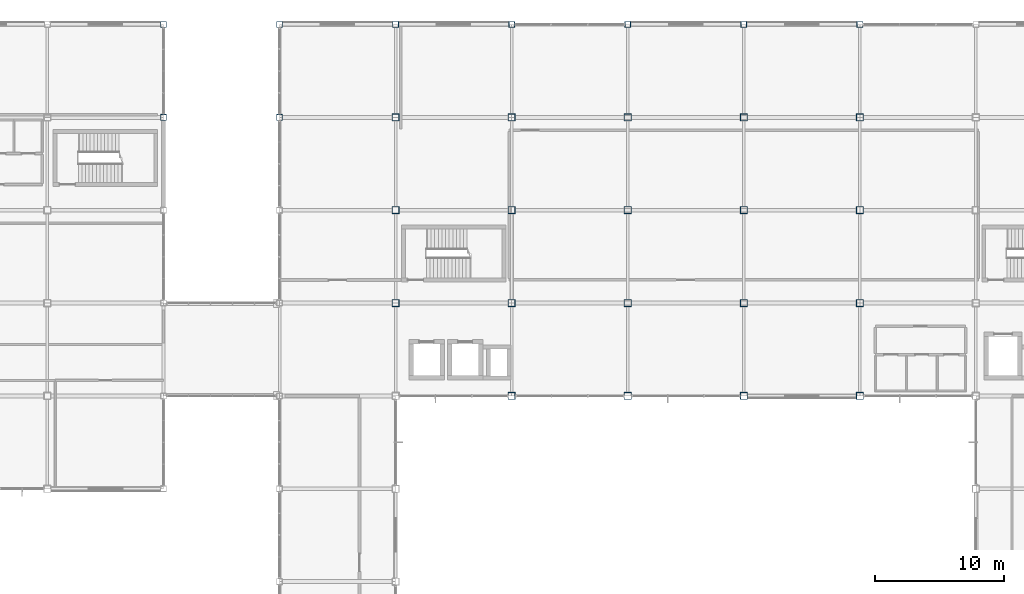
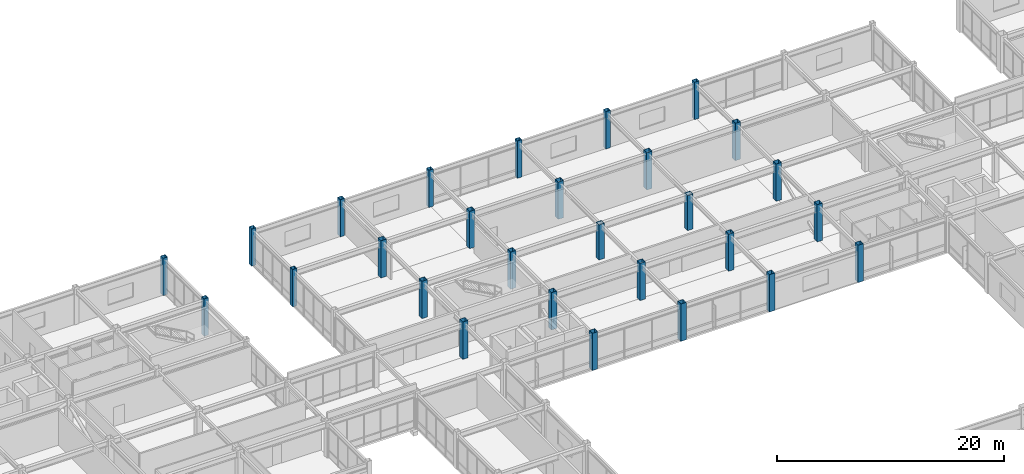
# One storey, part 8 of 122: 28 columns.
"""IFC4 building model written with IfcOpenShell, lengths in metres."""

from ifc_helpers import new_model, si_unit, direction, frame, origin, origin_2d, place, context, subcontext, project, spatial, hollow_rectangle, extrude, material, material_profile, profile_set, type_object, element, save


model = new_model("IFC4")

# Units and contexts
model_context = context("Model", 3, precision=1e-05, world=origin(), true_north=direction((0.0, 1.0)))
body_context = subcontext(model_context, "Body", "Model", "MODEL_VIEW")
ifc_project = project(units=[si_unit("LENGTHUNIT", "METRE"), si_unit("AREAUNIT", "SQUARE_METRE"), si_unit("VOLUMEUNIT", "CUBIC_METRE"), si_unit("PLANEANGLEUNIT", "RADIAN"), si_unit("MASSUNIT", "GRAM", prefix="KILO")], contexts=[model_context])

# Site, building, storey
site_placement = place(None, origin())
site = spatial("IfcSite", under=ifc_project, at=site_placement, CompositionType="ELEMENT")
building_placement = place(site_placement, origin())
building = spatial("IfcBuilding", under=site, at=building_placement, Name="Kazanami Central Library", CompositionType="ELEMENT")
storey_placement = place(building_placement, frame((0.0, 0.0, 4.800048828125)))
storey = spatial("IfcBuildingStorey", under=building, at=storey_placement, Name="L02", CompositionType="ELEMENT", Elevation=4.800048828125)

# Columns
ifc_material = material(Name="Steel BCP325 (325 MPa)", Category="steel")
ifc_material_profile_1 = material_profile(ifc_material, hollow_rectangle(XDim=0.449951171875, YDim=0.449951171875, WallThickness=0.01904296875, at=origin_2d()), Name="BCP-450x450x19")
ifc_profile_set_1 = profile_set([ifc_material_profile_1], Name="Steel BCP325 (325 MPa)")
column_type_1 = type_object("IfcColumnType", Name="COL-C-P2E", PredefinedType="COLUMN", material=ifc_profile_set_1)
for number, where, z_axis, x_axis, name in (
    (1, (36.0, 86.39990234375, 0.0), (0.0, 0.0, 1.0), (1.0, 0.0, 0.0), "Column C-P2E L02 5/N"),
    (2, (36.0, 93.60009765625, 0.0), (0.0, 0.0, 1.0), (1.0, 0.0, 0.0), "Column C-P2E L02 5/O"),
    (3, (45.0, 86.39990234375, 0.0), (0.0, 0.0, 1.0), (1.0, 0.0, 0.0), "Column C-P2E L02 6/N"),
    (4, (45.0, 93.60009765625, 0.0), (0.0, 0.0, 1.0), (1.0, 0.0, 0.0), "Column C-P2E L02 6/O"),
    (5, (54.0, 93.60009765625, 0.0), (0.0, 0.0, 1.0), (1.0, 0.0, 0.0), "Column C-P2E L02 7/O"),
    (6, (63.0, 93.60009765625, 0.0), (0.0, 0.0, 1.0), (1.0, 0.0, 0.0), "Column C-P2E L02 8/O"),
    (7, (72.0, 93.60009765625, 0.0), (0.0, 0.0, 1.0), (1.0, 0.0, 0.0), "Column C-P2E L02 9/O"),
    (8, (81.0, 93.60009765625, 0.0), (0.0, 0.0, 1.0), (1.0, 0.0, 0.0), "Column C-P2E L02 10/O"),
    (9, (90.0, 93.60009765625, 0.0), (0.0, 0.0, 1.0), (1.0, 0.0, 0.0), "Column C-P2E L02 11/O"),
):
    element("IfcColumn", number, at=place(storey_placement, frame(where, z_axis=z_axis, x_axis=x_axis)), inside=storey, type_object=column_type_1, Name=name, PredefinedType="COLUMN", context=body_context, shape_type="SweptSolid", body=[
        extrude(hollow_rectangle(XDim=0.449951171875, YDim=0.449951171875, WallThickness=0.01904296875, at=origin_2d()), origin(), (0.0, 0.0, 1.0), 4.0),
    ])
ifc_material_profile_2 = material_profile(ifc_material, hollow_rectangle(XDim=0.550048828125, YDim=0.550048828125, WallThickness=0.02197265625, at=origin_2d()), Name="BCP-550x550x22")
ifc_profile_set_2 = profile_set([ifc_material_profile_2], Name="Steel BCP325 (325 MPa)")
column_type_2 = type_object("IfcColumnType", Name="COL-C-P2I", PredefinedType="COLUMN", material=ifc_profile_set_2)
for number, where, z_axis, x_axis, name in (
    (10, (54.0, 72.0, 0.0), (0.0, 0.0, 1.0), (1.0, 0.0, 0.0), "Column C-P2I L02 7/L"),
    (11, (54.0, 79.199951171875, 0.0), (0.0, 0.0, 1.0), (1.0, 0.0, 0.0), "Column C-P2I L02 7/M"),
    (12, (54.0, 86.39990234375, 0.0), (0.0, 0.0, 1.0), (1.0, 0.0, 0.0), "Column C-P2I L02 7/N"),
    (13, (63.0, 64.800048828125, 0.0), (0.0, 0.0, 1.0), (1.0, 0.0, 0.0), "Column C-P2I L02 8/K"),
    (14, (63.0, 72.0, 0.0), (0.0, 0.0, 1.0), (1.0, 0.0, 0.0), "Column C-P2I L02 8/L"),
    (15, (63.0, 79.199951171875, 0.0), (0.0, 0.0, 1.0), (1.0, 0.0, 0.0), "Column C-P2I L02 8/M"),
    (16, (63.0, 86.39990234375, 0.0), (0.0, 0.0, 1.0), (1.0, 0.0, 0.0), "Column C-P2I L02 8/N"),
    (17, (72.0, 64.800048828125, 0.0), (0.0, 0.0, 1.0), (1.0, 0.0, 0.0), "Column C-P2I L02 9/K"),
    (18, (72.0, 72.0, 0.0), (0.0, 0.0, 1.0), (1.0, 0.0, 0.0), "Column C-P2I L02 9/L"),
):
    element("IfcColumn", number, at=place(storey_placement, frame(where, z_axis=z_axis, x_axis=x_axis)), inside=storey, type_object=column_type_2, Name=name, PredefinedType="COLUMN", context=body_context, shape_type="SweptSolid", body=[
        extrude(hollow_rectangle(XDim=0.550048828125, YDim=0.550048828125, WallThickness=0.02197265625, at=origin_2d()), origin(), (0.0, 0.0, 1.0), 4.0),
    ])
column_1_placement = place(storey_placement, frame((72.0, 79.199951171875, 0.0), z_axis=(0.0, 0.0, 1.0), x_axis=(1.0, 0.0, 0.0)))
element("IfcColumn", 19, at=column_1_placement, inside=storey, type_object=column_type_2, Name="Column C-P2I L02 9/M", PredefinedType="COLUMN", context=body_context, shape_type="SweptSolid", body=[
    extrude(hollow_rectangle(XDim=0.550048828125, YDim=0.550048828125, WallThickness=0.02197265625, at=origin_2d()), origin(), (0.0, 0.0, 1.0), 3.7548828125),
])
for number, where, z_axis, x_axis, name in (
    (20, (72.0, 86.39990234375, 0.0), (0.0, 0.0, 1.0), (1.0, 0.0, 0.0), "Column C-P2I L02 9/N"),
    (21, (81.0, 64.800048828125, 0.0), (0.0, 0.0, 1.0), (1.0, 0.0, 0.0), "Column C-P2I L02 10/K"),
    (22, (81.0, 72.0, 0.0), (0.0, 0.0, 1.0), (1.0, 0.0, 0.0), "Column C-P2I L02 10/L"),
):
    element("IfcColumn", number, at=place(storey_placement, frame(where, z_axis=z_axis, x_axis=x_axis)), inside=storey, type_object=column_type_2, Name=name, PredefinedType="COLUMN", context=body_context, shape_type="SweptSolid", body=[
        extrude(hollow_rectangle(XDim=0.550048828125, YDim=0.550048828125, WallThickness=0.02197265625, at=origin_2d()), origin(), (0.0, 0.0, 1.0), 4.0),
    ])
column_2_placement = place(storey_placement, frame((81.0, 79.199951171875, 0.0), z_axis=(0.0, 0.0, 1.0), x_axis=(1.0, 0.0, 0.0)))
element("IfcColumn", 23, at=column_2_placement, inside=storey, type_object=column_type_2, Name="Column C-P2I L02 10/M", PredefinedType="COLUMN", context=body_context, shape_type="SweptSolid", body=[
    extrude(hollow_rectangle(XDim=0.550048828125, YDim=0.550048828125, WallThickness=0.02197265625, at=origin_2d()), origin(), (0.0, 0.0, 1.0), 3.7548828125),
])
for number, where, z_axis, x_axis, name in (
    (24, (81.0, 86.39990234375, 0.0), (0.0, 0.0, 1.0), (1.0, 0.0, 0.0), "Column C-P2I L02 10/N"),
    (25, (90.0, 64.800048828125, 0.0), (0.0, 0.0, 1.0), (1.0, 0.0, 0.0), "Column C-P2I L02 11/K"),
    (26, (90.0, 72.0, 0.0), (0.0, 0.0, 1.0), (1.0, 0.0, 0.0), "Column C-P2I L02 11/L"),
    (27, (90.0, 79.199951171875, 0.0), (0.0, 0.0, 1.0), (1.0, 0.0, 0.0), "Column C-P2I L02 11/M"),
    (28, (90.0, 86.39990234375, 0.0), (0.0, 0.0, 1.0), (1.0, 0.0, 0.0), "Column C-P2I L02 11/N"),
):
    element("IfcColumn", number, at=place(storey_placement, frame(where, z_axis=z_axis, x_axis=x_axis)), inside=storey, type_object=column_type_2, Name=name, PredefinedType="COLUMN", context=body_context, shape_type="SweptSolid", body=[
        extrude(hollow_rectangle(XDim=0.550048828125, YDim=0.550048828125, WallThickness=0.02197265625, at=origin_2d()), origin(), (0.0, 0.0, 1.0), 4.0),
    ])

save(model, "model.ifc")
